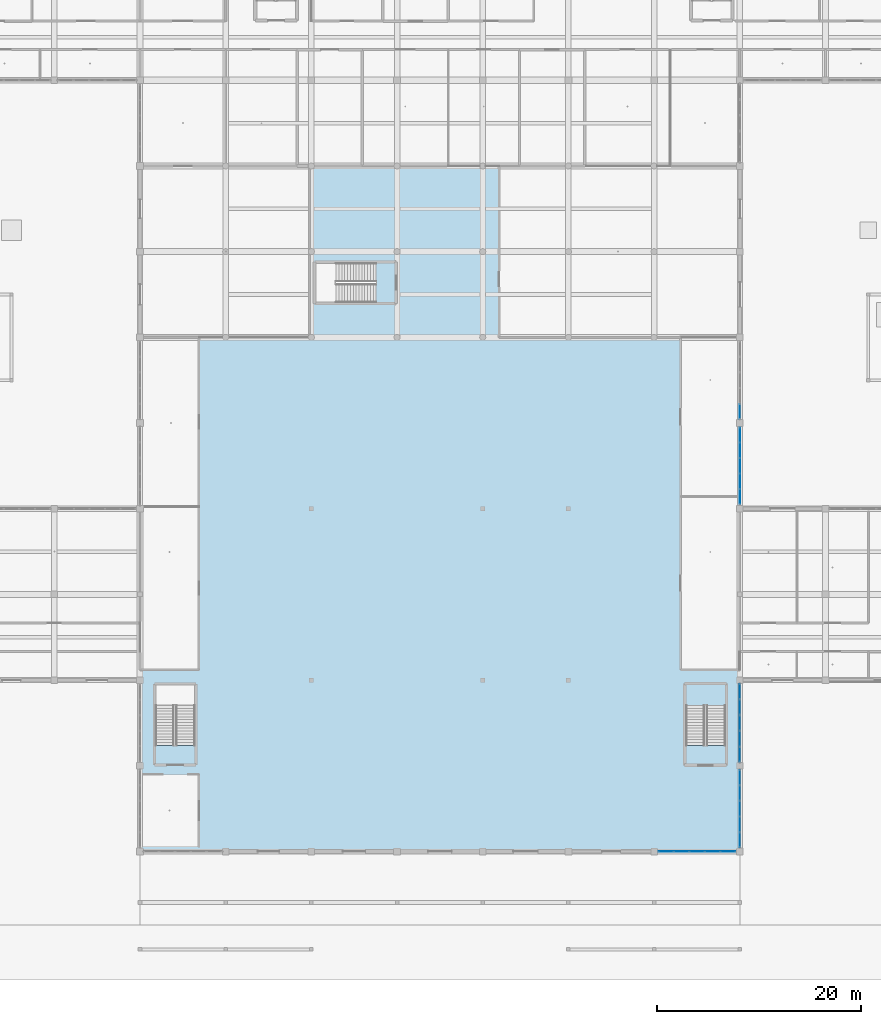
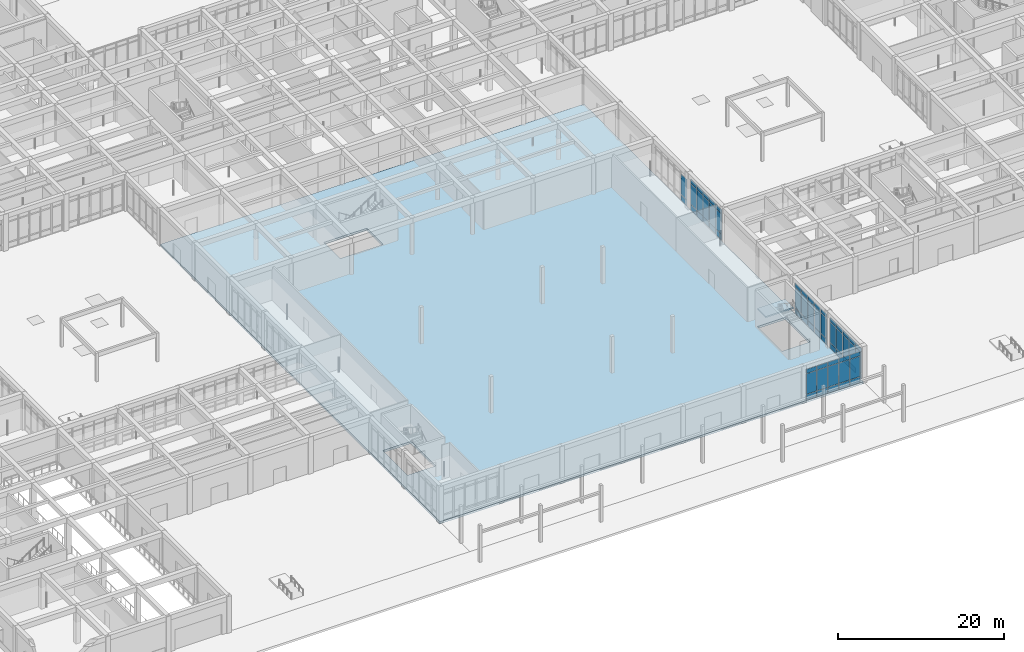
# One storey, part 49 of 167: 62 plates, 2 slabs, 6 elements without a shape of their own.
"""IFC4 building model written with IfcOpenShell, lengths in metres."""

from ifc_helpers import new_model, si_unit, direction, frame, origin, origin_2d, place, context, subcontext, project, spatial, polyline, rectangle, outline, extrude, material, layer, layer_set, type_object, element, aggregate, save


model = new_model("IFC4")

# Units and contexts
model_context = context("Model", 3, precision=1e-05, world=origin(), true_north=direction((0.0, 1.0)))
body_context = subcontext(model_context, "Body", "Model", "MODEL_VIEW")
ifc_project = project(units=[si_unit("LENGTHUNIT", "METRE"), si_unit("AREAUNIT", "SQUARE_METRE"), si_unit("VOLUMEUNIT", "CUBIC_METRE"), si_unit("PLANEANGLEUNIT", "RADIAN"), si_unit("MASSUNIT", "GRAM", prefix="KILO")], contexts=[model_context])

# Site, building, storey
site_placement = place(None, origin())
site = spatial("IfcSite", under=ifc_project, at=site_placement, CompositionType="ELEMENT")
building_placement = place(site_placement, origin())
building = spatial("IfcBuilding", under=site, at=building_placement, Name="Varncliffe General Hospital", CompositionType="ELEMENT")
storey_placement = place(building_placement, origin())
storey = spatial("IfcBuildingStorey", under=building, at=storey_placement, Name="L00", CompositionType="ELEMENT", Elevation=0.0)

# Curtain wall, plates
ifc_material_1 = material(Name="Triple low-E argon insulated vision glazing", Category="glass")
curtain_wall_type_1 = type_object("IfcCurtainWallType", Name="Unitised Glazed Curtain Wall CW26 (7594x4640)", PredefinedType="USERDEFINED", material=ifc_material_1)
curtain_wall_1_placement = place(storey_placement, origin())
curtain_wall_1 = element("IfcCurtainWall", 1, at=curtain_wall_1_placement, inside=storey, type_object=curtain_wall_type_1, Name="L00 Glazed Curtain Wall CW26-8", ObjectType="GLAZED CURTAIN WALL", PredefinedType="USERDEFINED")
ifc_layer_1 = layer(ifc_material_1, 0.0439453125)
ifc_layer_set_1 = layer_set([ifc_layer_1], Name="Triple low-E argon insulated vision glazing")
plate_type_1 = type_object("IfcPlateType", Name="Curtain Wall Glazing Panel CP12 (44mm)", PredefinedType="CURTAIN_PANEL", material=ifc_layer_set_1)
plate_1_placement = place(storey_placement, frame((116.42138671875, 7.199951171875, 0.06005859375), z_axis=(0.0, 0.0, 1.0), x_axis=(-1.0, 0.0, 0.0)))
plate_1 = element("IfcPlate", 2, at=plate_1_placement, type_object=plate_type_1, Name="CW26 panel 1.1", PredefinedType="CURTAIN_PANEL", context=body_context, shape_type="SweptSolid", body=[
    extrude(rectangle(XDim=1.42138671875, YDim=0.0439453125, at=origin_2d()), origin(), (0.0, 0.0, 1.0), 0.81005859375),
])
plate_2_placement = place(storey_placement, frame((116.42138671875, 7.199951171875, 0.929931640625), z_axis=(0.0, 0.0, 1.0), x_axis=(-1.0, 0.0, 0.0)))
plate_2 = element("IfcPlate", 3, at=plate_2_placement, type_object=plate_type_1, Name="CW26 panel 1.2", PredefinedType="CURTAIN_PANEL", context=body_context, shape_type="SweptSolid", body=[
    extrude(rectangle(XDim=1.42138671875, YDim=0.0439453125, at=origin_2d()), origin(), (0.0, 0.0, 1.0), 2.97998046875),
])
plate_3_placement = place(storey_placement, frame((116.42138671875, 7.199951171875, 3.9697265625), z_axis=(0.0, 0.0, 1.0), x_axis=(-1.0, 0.0, 0.0)))
plate_3 = element("IfcPlate", 4, at=plate_3_placement, type_object=plate_type_1, Name="CW26 panel 1.3", PredefinedType="CURTAIN_PANEL", context=body_context, shape_type="SweptSolid", body=[
    extrude(rectangle(XDim=1.42138671875, YDim=0.0439453125, at=origin_2d()), origin(), (0.0, 0.0, 1.0), 0.610107421875),
])
plate_4_placement = place(storey_placement, frame((114.918701171875, 7.199951171875, 0.06005859375), z_axis=(0.0, 0.0, 1.0), x_axis=(-1.0, 0.0, 0.0)))
plate_4 = element("IfcPlate", 5, at=plate_4_placement, type_object=plate_type_1, Name="CW26 panel 2.1", PredefinedType="CURTAIN_PANEL", context=body_context, shape_type="SweptSolid", body=[
    extrude(rectangle(XDim=1.453857421875, YDim=0.0439453125, at=origin_2d()), origin(), (0.0, 0.0, 1.0), 0.81005859375),
])
plate_5_placement = place(storey_placement, frame((114.918701171875, 7.199951171875, 0.929931640625), z_axis=(0.0, 0.0, 1.0), x_axis=(-1.0, 0.0, 0.0)))
plate_5 = element("IfcPlate", 6, at=plate_5_placement, type_object=plate_type_1, Name="CW26 panel 2.2", PredefinedType="CURTAIN_PANEL", context=body_context, shape_type="SweptSolid", body=[
    extrude(rectangle(XDim=1.453857421875, YDim=0.0439453125, at=origin_2d()), origin(), (0.0, 0.0, 1.0), 2.97998046875),
])
plate_6_placement = place(storey_placement, frame((114.918701171875, 7.199951171875, 3.9697265625), z_axis=(0.0, 0.0, 1.0), x_axis=(-1.0, 0.0, 0.0)))
plate_6 = element("IfcPlate", 7, at=plate_6_placement, type_object=plate_type_1, Name="CW26 panel 2.3", PredefinedType="CURTAIN_PANEL", context=body_context, shape_type="SweptSolid", body=[
    extrude(rectangle(XDim=1.453857421875, YDim=0.0439453125, at=origin_2d()), origin(), (0.0, 0.0, 1.0), 0.610107421875),
])
plate_7_placement = place(storey_placement, frame((113.39990234375, 7.199951171875, 0.06005859375), z_axis=(0.0, 0.0, 1.0), x_axis=(-1.0, 0.0, 0.0)))
plate_7 = element("IfcPlate", 8, at=plate_7_placement, type_object=plate_type_1, Name="CW26 panel 3.1", PredefinedType="CURTAIN_PANEL", context=body_context, shape_type="SweptSolid", body=[
    extrude(rectangle(XDim=1.453857421875, YDim=0.0439453125, at=origin_2d()), origin(), (0.0, 0.0, 1.0), 0.81005859375),
])
plate_8_placement = place(storey_placement, frame((113.39990234375, 7.199951171875, 0.929931640625), z_axis=(0.0, 0.0, 1.0), x_axis=(-1.0, 0.0, 0.0)))
plate_8 = element("IfcPlate", 9, at=plate_8_placement, type_object=plate_type_1, Name="CW26 panel 3.2", PredefinedType="CURTAIN_PANEL", context=body_context, shape_type="SweptSolid", body=[
    extrude(rectangle(XDim=1.453857421875, YDim=0.0439453125, at=origin_2d()), origin(), (0.0, 0.0, 1.0), 2.97998046875),
])
plate_9_placement = place(storey_placement, frame((113.39990234375, 7.199951171875, 3.9697265625), z_axis=(0.0, 0.0, 1.0), x_axis=(-1.0, 0.0, 0.0)))
plate_9 = element("IfcPlate", 10, at=plate_9_placement, type_object=plate_type_1, Name="CW26 panel 3.3", PredefinedType="CURTAIN_PANEL", context=body_context, shape_type="SweptSolid", body=[
    extrude(rectangle(XDim=1.453857421875, YDim=0.0439453125, at=origin_2d()), origin(), (0.0, 0.0, 1.0), 0.610107421875),
])
plate_10_placement = place(storey_placement, frame((111.881103515625, 7.199951171875, 0.06005859375), z_axis=(0.0, 0.0, 1.0), x_axis=(-1.0, 0.0, 0.0)))
plate_10 = element("IfcPlate", 11, at=plate_10_placement, type_object=plate_type_1, Name="CW26 panel 4.1", PredefinedType="CURTAIN_PANEL", context=body_context, shape_type="SweptSolid", body=[
    extrude(rectangle(XDim=1.453857421875, YDim=0.0439453125, at=origin_2d()), origin(), (0.0, 0.0, 1.0), 0.81005859375),
])
plate_11_placement = place(storey_placement, frame((111.881103515625, 7.199951171875, 0.929931640625), z_axis=(0.0, 0.0, 1.0), x_axis=(-1.0, 0.0, 0.0)))
plate_11 = element("IfcPlate", 12, at=plate_11_placement, type_object=plate_type_1, Name="CW26 panel 4.2", PredefinedType="CURTAIN_PANEL", context=body_context, shape_type="SweptSolid", body=[
    extrude(rectangle(XDim=1.453857421875, YDim=0.0439453125, at=origin_2d()), origin(), (0.0, 0.0, 1.0), 2.97998046875),
])
plate_12_placement = place(storey_placement, frame((111.881103515625, 7.199951171875, 3.9697265625), z_axis=(0.0, 0.0, 1.0), x_axis=(-1.0, 0.0, 0.0)))
plate_12 = element("IfcPlate", 13, at=plate_12_placement, type_object=plate_type_1, Name="CW26 panel 4.3", PredefinedType="CURTAIN_PANEL", context=body_context, shape_type="SweptSolid", body=[
    extrude(rectangle(XDim=1.453857421875, YDim=0.0439453125, at=origin_2d()), origin(), (0.0, 0.0, 1.0), 0.610107421875),
])
plate_13_placement = place(storey_placement, frame((110.378662109375, 7.199951171875, 0.06005859375), z_axis=(0.0, 0.0, 1.0), x_axis=(-1.0, 0.0, 0.0)))
plate_13 = element("IfcPlate", 14, at=plate_13_placement, type_object=plate_type_1, Name="CW26 panel 5.1", PredefinedType="CURTAIN_PANEL", context=body_context, shape_type="SweptSolid", body=[
    extrude(rectangle(XDim=1.42138671875, YDim=0.0439453125, at=origin_2d()), origin(), (0.0, 0.0, 1.0), 0.81005859375),
])
plate_14_placement = place(storey_placement, frame((110.378662109375, 7.199951171875, 0.929931640625), z_axis=(0.0, 0.0, 1.0), x_axis=(-1.0, 0.0, 0.0)))
plate_14 = element("IfcPlate", 15, at=plate_14_placement, type_object=plate_type_1, Name="CW26 panel 5.2", PredefinedType="CURTAIN_PANEL", context=body_context, shape_type="SweptSolid", body=[
    extrude(rectangle(XDim=1.42138671875, YDim=0.0439453125, at=origin_2d()), origin(), (0.0, 0.0, 1.0), 2.97998046875),
])
plate_15_placement = place(storey_placement, frame((110.378662109375, 7.199951171875, 3.9697265625), z_axis=(0.0, 0.0, 1.0), x_axis=(-1.0, 0.0, 0.0)))
plate_15 = element("IfcPlate", 16, at=plate_15_placement, type_object=plate_type_1, Name="CW26 panel 5.3", PredefinedType="CURTAIN_PANEL", context=body_context, shape_type="SweptSolid", body=[
    extrude(rectangle(XDim=1.42138671875, YDim=0.0439453125, at=origin_2d()), origin(), (0.0, 0.0, 1.0), 0.610107421875),
])
aggregate(curtain_wall_1, [plate_1, plate_2, plate_3, plate_4, plate_5, plate_6, plate_7, plate_8, plate_9, plate_10, plate_11, plate_12, plate_13, plate_14, plate_15])

curtain_wall_2_placement = place(storey_placement, origin())
curtain_wall_2 = element("IfcCurtainWall", 17, at=curtain_wall_2_placement, inside=storey, type_object=curtain_wall_type_1, Name="L00 Glazed Curtain Wall CW26-38", ObjectType="GLAZED CURTAIN WALL", PredefinedType="USERDEFINED")
plate_16_placement = place(storey_placement, frame((117.60009765625, 48.021240234375, 0.06005859375), z_axis=(0.0, 0.0, 1.0), x_axis=(0.0, -1.0, 0.0)))
plate_16 = element("IfcPlate", 18, at=plate_16_placement, type_object=plate_type_1, Name="CW26 panel 1.1", PredefinedType="CURTAIN_PANEL", context=body_context, shape_type="SweptSolid", body=[
    extrude(rectangle(XDim=1.42138671875, YDim=0.0439453125, at=origin_2d()), origin(), (0.0, 0.0, 1.0), 0.81005859375),
])
plate_17_placement = place(storey_placement, frame((117.60009765625, 48.021240234375, 0.929931640625), z_axis=(0.0, 0.0, 1.0), x_axis=(0.0, -1.0, 0.0)))
plate_17 = element("IfcPlate", 19, at=plate_17_placement, type_object=plate_type_1, Name="CW26 panel 1.2", PredefinedType="CURTAIN_PANEL", context=body_context, shape_type="SweptSolid", body=[
    extrude(rectangle(XDim=1.42138671875, YDim=0.0439453125, at=origin_2d()), origin(), (0.0, 0.0, 1.0), 2.97998046875),
])
plate_18_placement = place(storey_placement, frame((117.60009765625, 48.021240234375, 3.9697265625), z_axis=(0.0, 0.0, 1.0), x_axis=(0.0, -1.0, 0.0)))
plate_18 = element("IfcPlate", 20, at=plate_18_placement, type_object=plate_type_1, Name="CW26 panel 1.3", PredefinedType="CURTAIN_PANEL", context=body_context, shape_type="SweptSolid", body=[
    extrude(rectangle(XDim=1.42138671875, YDim=0.0439453125, at=origin_2d()), origin(), (0.0, 0.0, 1.0), 0.610107421875),
])
plate_19_placement = place(storey_placement, frame((117.60009765625, 46.518798828125, 0.06005859375), z_axis=(0.0, 0.0, 1.0), x_axis=(0.0, -1.0, 0.0)))
plate_19 = element("IfcPlate", 21, at=plate_19_placement, type_object=plate_type_1, Name="CW26 panel 2.1", PredefinedType="CURTAIN_PANEL", context=body_context, shape_type="SweptSolid", body=[
    extrude(rectangle(XDim=1.453857421875, YDim=0.0439453125, at=origin_2d()), origin(), (0.0, 0.0, 1.0), 0.81005859375),
])
plate_20_placement = place(storey_placement, frame((117.60009765625, 46.518798828125, 0.929931640625), z_axis=(0.0, 0.0, 1.0), x_axis=(0.0, -1.0, 0.0)))
plate_20 = element("IfcPlate", 22, at=plate_20_placement, type_object=plate_type_1, Name="CW26 panel 2.2", PredefinedType="CURTAIN_PANEL", context=body_context, shape_type="SweptSolid", body=[
    extrude(rectangle(XDim=1.453857421875, YDim=0.0439453125, at=origin_2d()), origin(), (0.0, 0.0, 1.0), 2.97998046875),
])
plate_21_placement = place(storey_placement, frame((117.60009765625, 46.518798828125, 3.9697265625), z_axis=(0.0, 0.0, 1.0), x_axis=(0.0, -1.0, 0.0)))
plate_21 = element("IfcPlate", 23, at=plate_21_placement, type_object=plate_type_1, Name="CW26 panel 2.3", PredefinedType="CURTAIN_PANEL", context=body_context, shape_type="SweptSolid", body=[
    extrude(rectangle(XDim=1.453857421875, YDim=0.0439453125, at=origin_2d()), origin(), (0.0, 0.0, 1.0), 0.610107421875),
])
plate_22_placement = place(storey_placement, frame((117.60009765625, 45.0, 0.06005859375), z_axis=(0.0, 0.0, 1.0), x_axis=(0.0, -1.0, 0.0)))
plate_22 = element("IfcPlate", 24, at=plate_22_placement, type_object=plate_type_1, Name="CW26 panel 3.1", PredefinedType="CURTAIN_PANEL", context=body_context, shape_type="SweptSolid", body=[
    extrude(rectangle(XDim=1.453857421875, YDim=0.0439453125, at=origin_2d()), origin(), (0.0, 0.0, 1.0), 0.81005859375),
])
plate_23_placement = place(storey_placement, frame((117.60009765625, 45.0, 0.929931640625), z_axis=(0.0, 0.0, 1.0), x_axis=(0.0, -1.0, 0.0)))
plate_23 = element("IfcPlate", 25, at=plate_23_placement, type_object=plate_type_1, Name="CW26 panel 3.2", PredefinedType="CURTAIN_PANEL", context=body_context, shape_type="SweptSolid", body=[
    extrude(rectangle(XDim=1.453857421875, YDim=0.0439453125, at=origin_2d()), origin(), (0.0, 0.0, 1.0), 2.97998046875),
])
plate_24_placement = place(storey_placement, frame((117.60009765625, 45.0, 3.9697265625), z_axis=(0.0, 0.0, 1.0), x_axis=(0.0, -1.0, 0.0)))
plate_24 = element("IfcPlate", 26, at=plate_24_placement, type_object=plate_type_1, Name="CW26 panel 3.3", PredefinedType="CURTAIN_PANEL", context=body_context, shape_type="SweptSolid", body=[
    extrude(rectangle(XDim=1.453857421875, YDim=0.0439453125, at=origin_2d()), origin(), (0.0, 0.0, 1.0), 0.610107421875),
])
plate_25_placement = place(storey_placement, frame((117.60009765625, 43.481201171875, 0.06005859375), z_axis=(0.0, 0.0, 1.0), x_axis=(0.0, -1.0, 0.0)))
plate_25 = element("IfcPlate", 27, at=plate_25_placement, type_object=plate_type_1, Name="CW26 panel 4.1", PredefinedType="CURTAIN_PANEL", context=body_context, shape_type="SweptSolid", body=[
    extrude(rectangle(XDim=1.453857421875, YDim=0.0439453125, at=origin_2d()), origin(), (0.0, 0.0, 1.0), 0.81005859375),
])
plate_26_placement = place(storey_placement, frame((117.60009765625, 43.481201171875, 0.929931640625), z_axis=(0.0, 0.0, 1.0), x_axis=(0.0, -1.0, 0.0)))
plate_26 = element("IfcPlate", 28, at=plate_26_placement, type_object=plate_type_1, Name="CW26 panel 4.2", PredefinedType="CURTAIN_PANEL", context=body_context, shape_type="SweptSolid", body=[
    extrude(rectangle(XDim=1.453857421875, YDim=0.0439453125, at=origin_2d()), origin(), (0.0, 0.0, 1.0), 2.97998046875),
])
plate_27_placement = place(storey_placement, frame((117.60009765625, 43.481201171875, 3.9697265625), z_axis=(0.0, 0.0, 1.0), x_axis=(0.0, -1.0, 0.0)))
plate_27 = element("IfcPlate", 29, at=plate_27_placement, type_object=plate_type_1, Name="CW26 panel 4.3", PredefinedType="CURTAIN_PANEL", context=body_context, shape_type="SweptSolid", body=[
    extrude(rectangle(XDim=1.453857421875, YDim=0.0439453125, at=origin_2d()), origin(), (0.0, 0.0, 1.0), 0.610107421875),
])
plate_28_placement = place(storey_placement, frame((117.60009765625, 41.978759765625, 0.06005859375), z_axis=(0.0, 0.0, 1.0), x_axis=(0.0, -1.0, 0.0)))
plate_28 = element("IfcPlate", 30, at=plate_28_placement, type_object=plate_type_1, Name="CW26 panel 5.1", PredefinedType="CURTAIN_PANEL", context=body_context, shape_type="SweptSolid", body=[
    extrude(rectangle(XDim=1.42138671875, YDim=0.0439453125, at=origin_2d()), origin(), (0.0, 0.0, 1.0), 0.81005859375),
])
plate_29_placement = place(storey_placement, frame((117.60009765625, 41.978759765625, 0.929931640625), z_axis=(0.0, 0.0, 1.0), x_axis=(0.0, -1.0, 0.0)))
plate_29 = element("IfcPlate", 31, at=plate_29_placement, type_object=plate_type_1, Name="CW26 panel 5.2", PredefinedType="CURTAIN_PANEL", context=body_context, shape_type="SweptSolid", body=[
    extrude(rectangle(XDim=1.42138671875, YDim=0.0439453125, at=origin_2d()), origin(), (0.0, 0.0, 1.0), 2.97998046875),
])
plate_30_placement = place(storey_placement, frame((117.60009765625, 41.978759765625, 3.9697265625), z_axis=(0.0, 0.0, 1.0), x_axis=(0.0, -1.0, 0.0)))
plate_30 = element("IfcPlate", 32, at=plate_30_placement, type_object=plate_type_1, Name="CW26 panel 5.3", PredefinedType="CURTAIN_PANEL", context=body_context, shape_type="SweptSolid", body=[
    extrude(rectangle(XDim=1.42138671875, YDim=0.0439453125, at=origin_2d()), origin(), (0.0, 0.0, 1.0), 0.610107421875),
])
aggregate(curtain_wall_2, [plate_16, plate_17, plate_18, plate_19, plate_20, plate_21, plate_22, plate_23, plate_24, plate_25, plate_26, plate_27, plate_28, plate_29, plate_30])

curtain_wall_type_2 = type_object("IfcCurtainWallType", Name="Unitised Glazed Curtain Wall CW15 (7674x4640)", PredefinedType="USERDEFINED", material=ifc_material_1)
curtain_wall_3_placement = place(storey_placement, origin())
curtain_wall_3 = element("IfcCurtainWall", 33, at=curtain_wall_3_placement, inside=storey, type_object=curtain_wall_type_2, Name="L00 Glazed Curtain Wall CW15-7", ObjectType="GLAZED CURTAIN WALL", PredefinedType="USERDEFINED")
ifc_layer_2 = layer(ifc_material_1, 0.035888671875)
ifc_layer_set_2 = layer_set([ifc_layer_2], Name="Triple low-E argon insulated vision glazing")
plate_type_2 = type_object("IfcPlateType", Name="Curtain Wall Glazing Panel CP27 (36mm)", PredefinedType="CURTAIN_PANEL", material=ifc_layer_set_2)
plate_31_placement = place(storey_placement, frame((117.60009765625, 14.450927734375, 0.06005859375), z_axis=(0.0, 0.0, 1.0), x_axis=(0.0, -1.0, 0.0)))
plate_31 = element("IfcPlate", 34, at=plate_31_placement, type_object=plate_type_2, Name="CW15 panel 1.1", PredefinedType="CURTAIN_PANEL", context=body_context, shape_type="SweptSolid", body=[
    extrude(rectangle(XDim=1.42236328125, YDim=0.035888671875, at=origin_2d()), origin(), (0.0, 0.0, 1.0), 0.81005859375),
])
plate_32_placement = place(storey_placement, frame((117.60009765625, 14.450927734375, 0.929931640625), z_axis=(0.0, 0.0, 1.0), x_axis=(0.0, -1.0, 0.0)))
plate_32 = element("IfcPlate", 35, at=plate_32_placement, type_object=plate_type_2, Name="CW15 panel 1.2", PredefinedType="CURTAIN_PANEL", context=body_context, shape_type="SweptSolid", body=[
    extrude(rectangle(XDim=1.42236328125, YDim=0.035888671875, at=origin_2d()), origin(), (0.0, 0.0, 1.0), 2.97998046875),
])
plate_33_placement = place(storey_placement, frame((117.60009765625, 14.450927734375, 3.9697265625), z_axis=(0.0, 0.0, 1.0), x_axis=(0.0, -1.0, 0.0)))
plate_33 = element("IfcPlate", 36, at=plate_33_placement, type_object=plate_type_2, Name="CW15 panel 1.3", PredefinedType="CURTAIN_PANEL", context=body_context, shape_type="SweptSolid", body=[
    extrude(rectangle(XDim=1.42236328125, YDim=0.035888671875, at=origin_2d()), origin(), (0.0, 0.0, 1.0), 0.610107421875),
])
plate_34_placement = place(storey_placement, frame((117.60009765625, 12.934814453125, 0.06005859375), z_axis=(0.0, 0.0, 1.0), x_axis=(0.0, -1.0, 0.0)))
plate_34 = element("IfcPlate", 37, at=plate_34_placement, type_object=plate_type_2, Name="CW15 panel 2.1", PredefinedType="CURTAIN_PANEL", context=body_context, shape_type="SweptSolid", body=[
    extrude(rectangle(XDim=1.459716796875, YDim=0.035888671875, at=origin_2d()), origin(), (0.0, 0.0, 1.0), 0.81005859375),
])
plate_35_placement = place(storey_placement, frame((117.60009765625, 12.934814453125, 0.929931640625), z_axis=(0.0, 0.0, 1.0), x_axis=(0.0, -1.0, 0.0)))
plate_35 = element("IfcPlate", 38, at=plate_35_placement, type_object=plate_type_2, Name="CW15 panel 2.2", PredefinedType="CURTAIN_PANEL", context=body_context, shape_type="SweptSolid", body=[
    extrude(rectangle(XDim=1.459716796875, YDim=0.035888671875, at=origin_2d()), origin(), (0.0, 0.0, 1.0), 2.97998046875),
])
plate_36_placement = place(storey_placement, frame((117.60009765625, 12.934814453125, 3.9697265625), z_axis=(0.0, 0.0, 1.0), x_axis=(0.0, -1.0, 0.0)))
plate_36 = element("IfcPlate", 39, at=plate_36_placement, type_object=plate_type_2, Name="CW15 panel 2.3", PredefinedType="CURTAIN_PANEL", context=body_context, shape_type="SweptSolid", body=[
    extrude(rectangle(XDim=1.459716796875, YDim=0.035888671875, at=origin_2d()), origin(), (0.0, 0.0, 1.0), 0.610107421875),
])
plate_37_placement = place(storey_placement, frame((117.60009765625, 11.39990234375, 0.06005859375), z_axis=(0.0, 0.0, 1.0), x_axis=(0.0, -1.0, 0.0)))
plate_37 = element("IfcPlate", 40, at=plate_37_placement, type_object=plate_type_2, Name="CW15 panel 3.1", PredefinedType="CURTAIN_PANEL", context=body_context, shape_type="SweptSolid", body=[
    extrude(rectangle(XDim=1.459716796875, YDim=0.035888671875, at=origin_2d()), origin(), (0.0, 0.0, 1.0), 0.81005859375),
])
plate_38_placement = place(storey_placement, frame((117.60009765625, 11.39990234375, 0.929931640625), z_axis=(0.0, 0.0, 1.0), x_axis=(0.0, -1.0, 0.0)))
plate_38 = element("IfcPlate", 41, at=plate_38_placement, type_object=plate_type_2, Name="CW15 panel 3.2", PredefinedType="CURTAIN_PANEL", context=body_context, shape_type="SweptSolid", body=[
    extrude(rectangle(XDim=1.459716796875, YDim=0.035888671875, at=origin_2d()), origin(), (0.0, 0.0, 1.0), 2.97998046875),
])
plate_39_placement = place(storey_placement, frame((117.60009765625, 11.39990234375, 3.9697265625), z_axis=(0.0, 0.0, 1.0), x_axis=(0.0, -1.0, 0.0)))
plate_39 = element("IfcPlate", 42, at=plate_39_placement, type_object=plate_type_2, Name="CW15 panel 3.3", PredefinedType="CURTAIN_PANEL", context=body_context, shape_type="SweptSolid", body=[
    extrude(rectangle(XDim=1.459716796875, YDim=0.035888671875, at=origin_2d()), origin(), (0.0, 0.0, 1.0), 0.610107421875),
])
plate_40_placement = place(storey_placement, frame((117.60009765625, 9.865234375, 0.06005859375), z_axis=(0.0, 0.0, 1.0), x_axis=(0.0, -1.0, 0.0)))
plate_40 = element("IfcPlate", 43, at=plate_40_placement, type_object=plate_type_2, Name="CW15 panel 4.1", PredefinedType="CURTAIN_PANEL", context=body_context, shape_type="SweptSolid", body=[
    extrude(rectangle(XDim=1.459716796875, YDim=0.035888671875, at=origin_2d()), origin(), (0.0, 0.0, 1.0), 0.81005859375),
])
plate_41_placement = place(storey_placement, frame((117.60009765625, 9.865234375, 0.929931640625), z_axis=(0.0, 0.0, 1.0), x_axis=(0.0, -1.0, 0.0)))
plate_41 = element("IfcPlate", 44, at=plate_41_placement, type_object=plate_type_2, Name="CW15 panel 4.2", PredefinedType="CURTAIN_PANEL", context=body_context, shape_type="SweptSolid", body=[
    extrude(rectangle(XDim=1.459716796875, YDim=0.035888671875, at=origin_2d()), origin(), (0.0, 0.0, 1.0), 2.97998046875),
])
plate_42_placement = place(storey_placement, frame((117.60009765625, 9.865234375, 3.9697265625), z_axis=(0.0, 0.0, 1.0), x_axis=(0.0, -1.0, 0.0)))
plate_42 = element("IfcPlate", 45, at=plate_42_placement, type_object=plate_type_2, Name="CW15 panel 4.3", PredefinedType="CURTAIN_PANEL", context=body_context, shape_type="SweptSolid", body=[
    extrude(rectangle(XDim=1.459716796875, YDim=0.035888671875, at=origin_2d()), origin(), (0.0, 0.0, 1.0), 0.610107421875),
])
plate_43_placement = place(storey_placement, frame((117.60009765625, 8.34912109375, 0.06005859375), z_axis=(0.0, 0.0, 1.0), x_axis=(0.0, -1.0, 0.0)))
plate_43 = element("IfcPlate", 46, at=plate_43_placement, type_object=plate_type_2, Name="CW15 panel 5.1", PredefinedType="CURTAIN_PANEL", context=body_context, shape_type="SweptSolid", body=[
    extrude(rectangle(XDim=1.42236328125, YDim=0.035888671875, at=origin_2d()), origin(), (0.0, 0.0, 1.0), 0.81005859375),
])
plate_44_placement = place(storey_placement, frame((117.60009765625, 8.34912109375, 0.929931640625), z_axis=(0.0, 0.0, 1.0), x_axis=(0.0, -1.0, 0.0)))
plate_44 = element("IfcPlate", 47, at=plate_44_placement, type_object=plate_type_2, Name="CW15 panel 5.2", PredefinedType="CURTAIN_PANEL", context=body_context, shape_type="SweptSolid", body=[
    extrude(rectangle(XDim=1.42236328125, YDim=0.035888671875, at=origin_2d()), origin(), (0.0, 0.0, 1.0), 2.97998046875),
])
plate_45_placement = place(storey_placement, frame((117.60009765625, 8.34912109375, 3.9697265625), z_axis=(0.0, 0.0, 1.0), x_axis=(0.0, -1.0, 0.0)))
plate_45 = element("IfcPlate", 48, at=plate_45_placement, type_object=plate_type_2, Name="CW15 panel 5.3", PredefinedType="CURTAIN_PANEL", context=body_context, shape_type="SweptSolid", body=[
    extrude(rectangle(XDim=1.42236328125, YDim=0.035888671875, at=origin_2d()), origin(), (0.0, 0.0, 1.0), 0.610107421875),
])
aggregate(curtain_wall_3, [plate_31, plate_32, plate_33, plate_34, plate_35, plate_36, plate_37, plate_38, plate_39, plate_40, plate_41, plate_42, plate_43, plate_44, plate_45])

curtain_wall_4_placement = place(storey_placement, origin())
curtain_wall_4 = element("IfcCurtainWall", 49, at=curtain_wall_4_placement, inside=storey, type_object=curtain_wall_type_2, Name="L00 Glazed Curtain Wall CW15-37", ObjectType="GLAZED CURTAIN WALL", PredefinedType="USERDEFINED")
plate_46_placement = place(storey_placement, frame((117.60009765625, 50.34912109375, 0.06005859375), z_axis=(0.0, 0.0, 1.0), x_axis=(0.0, -1.0, 0.0)))
plate_46 = element("IfcPlate", 50, at=plate_46_placement, type_object=plate_type_2, Name="CW15 panel 5.1", PredefinedType="CURTAIN_PANEL", context=body_context, shape_type="SweptSolid", body=[
    extrude(rectangle(XDim=1.42236328125, YDim=0.035888671875, at=origin_2d()), origin(), (0.0, 0.0, 1.0), 0.81005859375),
])
plate_47_placement = place(storey_placement, frame((117.60009765625, 50.34912109375, 0.929931640625), z_axis=(0.0, 0.0, 1.0), x_axis=(0.0, -1.0, 0.0)))
plate_47 = element("IfcPlate", 51, at=plate_47_placement, type_object=plate_type_2, Name="CW15 panel 5.2", PredefinedType="CURTAIN_PANEL", context=body_context, shape_type="SweptSolid", body=[
    extrude(rectangle(XDim=1.42236328125, YDim=0.035888671875, at=origin_2d()), origin(), (0.0, 0.0, 1.0), 2.97998046875),
])
aggregate(curtain_wall_4, [plate_46, plate_47])

curtain_wall_type_3 = type_object("IfcCurtainWallType", Name="Unitised Glazed Curtain Wall CW66 (7754x4640)", PredefinedType="USERDEFINED", material=ifc_material_1)
curtain_wall_5_placement = place(storey_placement, origin())
curtain_wall_5 = element("IfcCurtainWall", 52, at=curtain_wall_5_placement, inside=storey, type_object=curtain_wall_type_3, Name="L00 Glazed Curtain Wall CW66-6", ObjectType="GLAZED CURTAIN WALL", PredefinedType="USERDEFINED")
ifc_layer_3 = layer(ifc_material_1, 0.028076171875)
ifc_layer_set_3 = layer_set([ifc_layer_3], Name="Triple low-E argon insulated vision glazing")
plate_type_3 = type_object("IfcPlateType", Name="Curtain Wall Glazing Panel CP48 (28mm)", PredefinedType="CURTAIN_PANEL", material=ifc_layer_set_3)
plate_48_placement = place(storey_placement, frame((117.60009765625, 22.8828125, 0.06494140625), z_axis=(0.0, 0.0, 1.0), x_axis=(0.0, -1.0, 0.0)))
plate_48 = element("IfcPlate", 53, at=plate_48_placement, type_object=plate_type_3, Name="CW66 panel 1.1", PredefinedType="CURTAIN_PANEL", context=body_context, shape_type="SweptSolid", body=[
    extrude(rectangle(XDim=1.438232421875, YDim=0.028076171875, at=origin_2d()), origin(), (0.0, 0.0, 1.0), 0.802490234375),
])
plate_49_placement = place(storey_placement, frame((117.60009765625, 22.8828125, 0.932373046875), z_axis=(0.0, 0.0, 1.0), x_axis=(0.0, -1.0, 0.0)))
plate_49 = element("IfcPlate", 54, at=plate_49_placement, type_object=plate_type_3, Name="CW66 panel 1.2", PredefinedType="CURTAIN_PANEL", context=body_context, shape_type="SweptSolid", body=[
    extrude(rectangle(XDim=1.438232421875, YDim=0.028076171875, at=origin_2d()), origin(), (0.0, 0.0, 1.0), 2.97509765625),
])
plate_50_placement = place(storey_placement, frame((117.60009765625, 22.8828125, 3.972412109375), z_axis=(0.0, 0.0, 1.0), x_axis=(0.0, -1.0, 0.0)))
plate_50 = element("IfcPlate", 55, at=plate_50_placement, type_object=plate_type_3, Name="CW66 panel 1.3", PredefinedType="CURTAIN_PANEL", context=body_context, shape_type="SweptSolid", body=[
    extrude(rectangle(XDim=1.438232421875, YDim=0.028076171875, at=origin_2d()), origin(), (0.0, 0.0, 1.0), 0.6025390625),
])
plate_51_placement = place(storey_placement, frame((117.60009765625, 21.350830078125, 0.06494140625), z_axis=(0.0, 0.0, 1.0), x_axis=(0.0, -1.0, 0.0)))
plate_51 = element("IfcPlate", 56, at=plate_51_placement, type_object=plate_type_3, Name="CW66 panel 2.1", PredefinedType="CURTAIN_PANEL", context=body_context, shape_type="SweptSolid", body=[
    extrude(rectangle(XDim=1.475830078125, YDim=0.028076171875, at=origin_2d()), origin(), (0.0, 0.0, 1.0), 0.802490234375),
])
plate_52_placement = place(storey_placement, frame((117.60009765625, 21.350830078125, 0.932373046875), z_axis=(0.0, 0.0, 1.0), x_axis=(0.0, -1.0, 0.0)))
plate_52 = element("IfcPlate", 57, at=plate_52_placement, type_object=plate_type_3, Name="CW66 panel 2.2", PredefinedType="CURTAIN_PANEL", context=body_context, shape_type="SweptSolid", body=[
    extrude(rectangle(XDim=1.475830078125, YDim=0.028076171875, at=origin_2d()), origin(), (0.0, 0.0, 1.0), 2.97509765625),
])
plate_53_placement = place(storey_placement, frame((117.60009765625, 21.350830078125, 3.972412109375), z_axis=(0.0, 0.0, 1.0), x_axis=(0.0, -1.0, 0.0)))
plate_53 = element("IfcPlate", 58, at=plate_53_placement, type_object=plate_type_3, Name="CW66 panel 2.3", PredefinedType="CURTAIN_PANEL", context=body_context, shape_type="SweptSolid", body=[
    extrude(rectangle(XDim=1.475830078125, YDim=0.028076171875, at=origin_2d()), origin(), (0.0, 0.0, 1.0), 0.6025390625),
])
plate_54_placement = place(storey_placement, frame((117.60009765625, 19.800048828125, 0.06494140625), z_axis=(0.0, 0.0, 1.0), x_axis=(0.0, -1.0, 0.0)))
plate_54 = element("IfcPlate", 59, at=plate_54_placement, type_object=plate_type_3, Name="CW66 panel 3.1", PredefinedType="CURTAIN_PANEL", context=body_context, shape_type="SweptSolid", body=[
    extrude(rectangle(XDim=1.475830078125, YDim=0.028076171875, at=origin_2d()), origin(), (0.0, 0.0, 1.0), 0.802490234375),
])
plate_55_placement = place(storey_placement, frame((117.60009765625, 19.800048828125, 0.932373046875), z_axis=(0.0, 0.0, 1.0), x_axis=(0.0, -1.0, 0.0)))
plate_55 = element("IfcPlate", 60, at=plate_55_placement, type_object=plate_type_3, Name="CW66 panel 3.2", PredefinedType="CURTAIN_PANEL", context=body_context, shape_type="SweptSolid", body=[
    extrude(rectangle(XDim=1.475830078125, YDim=0.028076171875, at=origin_2d()), origin(), (0.0, 0.0, 1.0), 2.97509765625),
])
plate_56_placement = place(storey_placement, frame((117.60009765625, 19.800048828125, 3.972412109375), z_axis=(0.0, 0.0, 1.0), x_axis=(0.0, -1.0, 0.0)))
plate_56 = element("IfcPlate", 61, at=plate_56_placement, type_object=plate_type_3, Name="CW66 panel 3.3", PredefinedType="CURTAIN_PANEL", context=body_context, shape_type="SweptSolid", body=[
    extrude(rectangle(XDim=1.475830078125, YDim=0.028076171875, at=origin_2d()), origin(), (0.0, 0.0, 1.0), 0.6025390625),
])
plate_57_placement = place(storey_placement, frame((117.60009765625, 18.249267578125, 0.06494140625), z_axis=(0.0, 0.0, 1.0), x_axis=(0.0, -1.0, 0.0)))
plate_57 = element("IfcPlate", 62, at=plate_57_placement, type_object=plate_type_3, Name="CW66 panel 4.1", PredefinedType="CURTAIN_PANEL", context=body_context, shape_type="SweptSolid", body=[
    extrude(rectangle(XDim=1.475830078125, YDim=0.028076171875, at=origin_2d()), origin(), (0.0, 0.0, 1.0), 0.802490234375),
])
plate_58_placement = place(storey_placement, frame((117.60009765625, 18.249267578125, 0.932373046875), z_axis=(0.0, 0.0, 1.0), x_axis=(0.0, -1.0, 0.0)))
plate_58 = element("IfcPlate", 63, at=plate_58_placement, type_object=plate_type_3, Name="CW66 panel 4.2", PredefinedType="CURTAIN_PANEL", context=body_context, shape_type="SweptSolid", body=[
    extrude(rectangle(XDim=1.475830078125, YDim=0.028076171875, at=origin_2d()), origin(), (0.0, 0.0, 1.0), 2.97509765625),
])
plate_59_placement = place(storey_placement, frame((117.60009765625, 18.249267578125, 3.972412109375), z_axis=(0.0, 0.0, 1.0), x_axis=(0.0, -1.0, 0.0)))
plate_59 = element("IfcPlate", 64, at=plate_59_placement, type_object=plate_type_3, Name="CW66 panel 4.3", PredefinedType="CURTAIN_PANEL", context=body_context, shape_type="SweptSolid", body=[
    extrude(rectangle(XDim=1.475830078125, YDim=0.028076171875, at=origin_2d()), origin(), (0.0, 0.0, 1.0), 0.6025390625),
])
plate_60_placement = place(storey_placement, frame((117.60009765625, 16.717041015625, 0.06494140625), z_axis=(0.0, 0.0, 1.0), x_axis=(0.0, -1.0, 0.0)))
plate_60 = element("IfcPlate", 65, at=plate_60_placement, type_object=plate_type_3, Name="CW66 panel 5.1", PredefinedType="CURTAIN_PANEL", context=body_context, shape_type="SweptSolid", body=[
    extrude(rectangle(XDim=1.438232421875, YDim=0.028076171875, at=origin_2d()), origin(), (0.0, 0.0, 1.0), 0.802490234375),
])
plate_61_placement = place(storey_placement, frame((117.60009765625, 16.717041015625, 0.932373046875), z_axis=(0.0, 0.0, 1.0), x_axis=(0.0, -1.0, 0.0)))
plate_61 = element("IfcPlate", 66, at=plate_61_placement, type_object=plate_type_3, Name="CW66 panel 5.2", PredefinedType="CURTAIN_PANEL", context=body_context, shape_type="SweptSolid", body=[
    extrude(rectangle(XDim=1.438232421875, YDim=0.028076171875, at=origin_2d()), origin(), (0.0, 0.0, 1.0), 2.97509765625),
])
plate_62_placement = place(storey_placement, frame((117.60009765625, 16.717041015625, 3.972412109375), z_axis=(0.0, 0.0, 1.0), x_axis=(0.0, -1.0, 0.0)))
plate_62 = element("IfcPlate", 67, at=plate_62_placement, type_object=plate_type_3, Name="CW66 panel 5.3", PredefinedType="CURTAIN_PANEL", context=body_context, shape_type="SweptSolid", body=[
    extrude(rectangle(XDim=1.438232421875, YDim=0.028076171875, at=origin_2d()), origin(), (0.0, 0.0, 1.0), 0.6025390625),
])
aggregate(curtain_wall_5, [plate_48, plate_49, plate_50, plate_51, plate_52, plate_53, plate_54, plate_55, plate_56, plate_57, plate_58, plate_59, plate_60, plate_61, plate_62])

# Slab
ifc_material_2 = material(Name="Concrete C35/45 (CSA A23.1 35 MPa)", Category="concrete")
ifc_layer_4 = layer(ifc_material_2, 0.320068359375)
ifc_layer_set_4 = layer_set([ifc_layer_4], Name="Concrete C35/45 (CSA A23.1 35 MPa)")
slab_type_1 = type_object("IfcSlabType", Name="Floor Slab SL41 (Int 320mm)", PredefinedType="FLOOR", material=ifc_layer_set_4)
slab_1_placement = place(storey_placement, frame((0.0, 0.0, -0.320068359375)))
element("IfcSlab", 68, at=slab_1_placement, inside=storey, type_object=slab_type_1, Name="L00 V1 Structural Floor Slab 1", PredefinedType="FLOOR", context=body_context, shape_type="SweptSolid", body=[
    extrude(outline(polyline([(117.60009765625, 7.199951171875), (117.60009765625, 74.39990234375), (58.800048828125, 74.39990234375), (58.800048828125, 7.199951171875), (117.60009765625, 7.199951171875)]), holes=[polyline([(64.199951171875, 17.60009765625), (64.199951171875, 23.550048828125), (60.300048828125, 23.550048828125), (60.300048828125, 17.60009765625), (64.199951171875, 17.60009765625)]), polyline([(116.199951171875, 17.60009765625), (116.199951171875, 23.550048828125), (112.300048828125, 23.550048828125), (112.300048828125, 17.60009765625), (116.199951171875, 17.60009765625)]), polyline([(81.949951171875, 64.89990234375), (76.0, 64.89990234375), (76.0, 61.0), (81.949951171875, 61.0), (81.949951171875, 64.89990234375)])]), origin(), (0.0, 0.0, 1.0), 0.320068359375),
])

# Stair, slab
stair_type = type_object("IfcStairType", Name="Hospital Stair Assembly ST-T02 (1850w-5400h)", PredefinedType="TWO_STRAIGHT_RUN_STAIR", material=ifc_material_2)
stair_placement = place(storey_placement, origin())
stair = element("IfcStair", 69, at=stair_placement, inside=storey, type_object=stair_type, Name="L00 Main Pavilion South-East Exit Stair 10", PredefinedType="TWO_STRAIGHT_RUN_STAIR")
ifc_layer_5 = layer(ifc_material_2, 0.199951171875)
ifc_layer_set_5 = layer_set([ifc_layer_5], Name="Concrete C35/45 (CSA A23.1 35 MPa)")
slab_type_2 = type_object("IfcSlabType", Name="Reinforced Concrete Stair Landing LND50 (200mm)", PredefinedType="LANDING", material=ifc_layer_set_5)
slab_2_placement = place(storey_placement, frame((0.0, 0.0, 2.5)))
slab_2 = element("IfcSlab", 70, at=slab_2_placement, type_object=slab_type_2, Name="ST10 landing 1", PredefinedType="LANDING", context=body_context, shape_type="SweptSolid", body=[
    extrude(outline(polyline([(116.199951171875, 21.52001953125), (116.199951171875, 23.550048828125), (112.300048828125, 23.550048828125), (112.300048828125, 21.52001953125), (116.199951171875, 21.52001953125)])), origin(), (0.0, 0.0, 1.0), 0.199951171875),
])
aggregate(stair, [slab_2])

save(model, "model.ifc")
